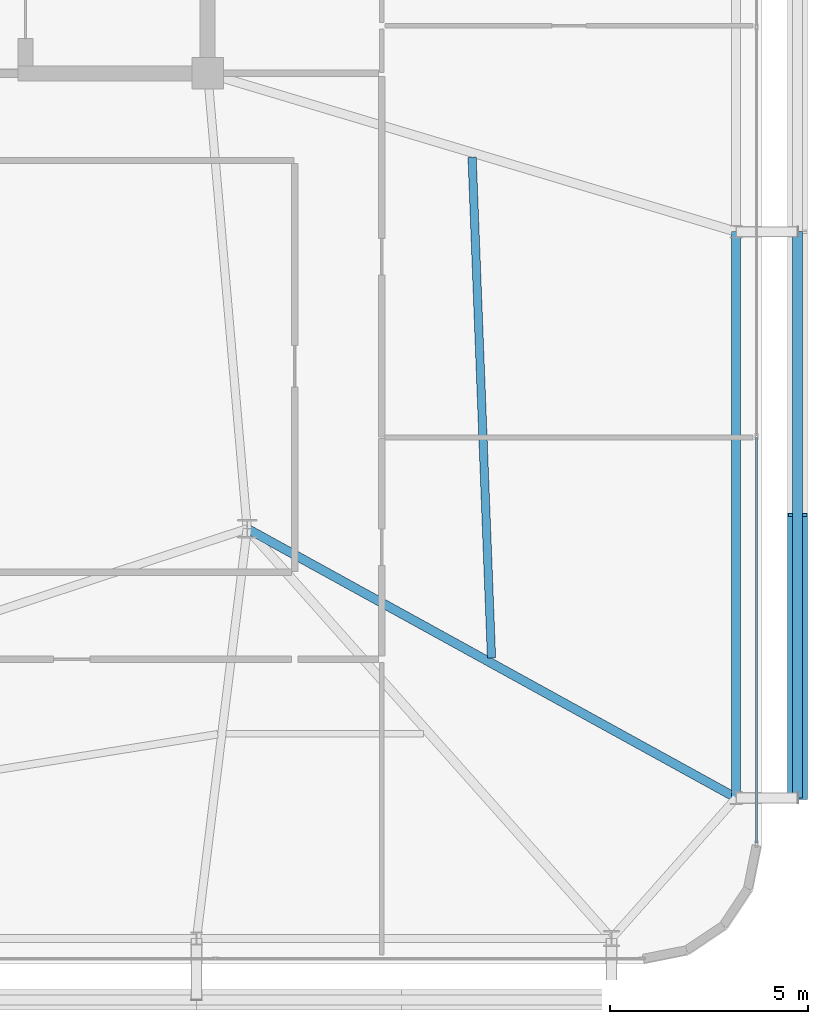
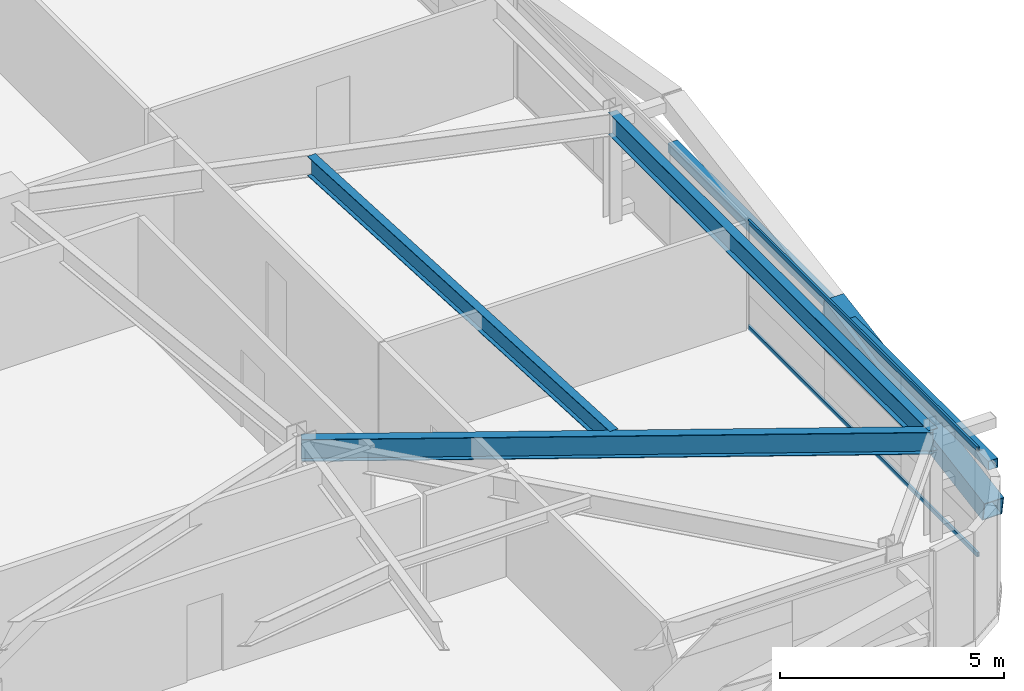
# One storey, part 16 of 44: 4 members, 3 beams, 1 element without a shape of its own.
"""IFC4 building model written with IfcOpenShell, lengths in metres."""

from ifc_helpers import new_model, si_unit, direction, frame, origin, origin_2d, place, context, subcontext, project, spatial, hollow_rectangle, i_section, extrude, source, transform, mapped, material, layer, layer_set, material_profile, profile_set, type_object, element, aggregate, save


model = new_model("IFC4")

# Units and contexts
model_context = context("Model", 3, precision=1e-05, world=origin(), true_north=direction((0.0, 1.0)))
body_context = subcontext(model_context, "Body", "Model", "MODEL_VIEW")
ifc_project = project(units=[si_unit("LENGTHUNIT", "METRE"), si_unit("AREAUNIT", "SQUARE_METRE"), si_unit("VOLUMEUNIT", "CUBIC_METRE"), si_unit("PLANEANGLEUNIT", "RADIAN"), si_unit("MASSUNIT", "GRAM", prefix="KILO")], contexts=[model_context])

# Site, building, storey
site_placement = place(None, origin())
site = spatial("IfcSite", under=ifc_project, at=site_placement, CompositionType="ELEMENT")
building_placement = place(site_placement, origin())
building = spatial("IfcBuilding", under=site, at=building_placement, Name="Taldren Reach Tower", CompositionType="ELEMENT")
storey_placement = place(building_placement, frame((0.0, 0.0, 42.0)))
storey = spatial("IfcBuildingStorey", under=building, at=storey_placement, Name="L12", CompositionType="ELEMENT", Elevation=42.0)

# Beams
ifc_material_1 = material(Name="Steel Gr 350 (350PLUS)", Category="steel")
ifc_material_profile_1 = material_profile(ifc_material_1, i_section(OverallWidth=0.22802734375, OverallDepth=0.60205078125, WebThickness=0.010498046875, FlangeThickness=0.014892578125, at=origin_2d()), Name="610UB101")
ifc_profile_set_1 = profile_set([ifc_material_profile_1], Name="Steel Gr 350 (350PLUS)")
beam_type_1 = type_object("IfcBeamType", Name="BM-UB610B", PredefinedType="BEAM", material=ifc_profile_set_1)
shared_shape_1 = source(origin(), body_context, "Body", "SweptSolid", [
    extrude(i_section(OverallWidth=0.22802734375, OverallDepth=0.60205078125, WebThickness=0.010498046875, FlangeThickness=0.014892578125, at=origin_2d()), origin(), (0.0, 0.0, 1.0), 14.300048828125),
])
beam_1_placement = place(storey_placement, frame((64.35009765625, 5.699951171875, 2.62890625), z_axis=(0.0, 1.0, 0.0), x_axis=(-1.0, 0.0, 0.0)))
element("IfcBeam", 1, at=beam_1_placement, inside=storey, type_object=beam_type_1, Name="Perimeter gable girder B1 E1-E2 L12", PredefinedType="BEAM", context=body_context, shape_type="MappedRepresentation", body=[
    mapped(shared_shape_1, transform((0.0, 0.0, 0.0), scale=1.0)),
])
shared_shape_2 = source(origin(), body_context, "Body", "SweptSolid", [
    extrude(i_section(OverallWidth=0.22802734375, OverallDepth=0.60205078125, WebThickness=0.010498046875, FlangeThickness=0.014892578125, at=origin_2d()), origin(), (0.0, 0.0, 1.0), 14.098388671875),
])
beam_2_placement = place(storey_placement, frame((52.0, 12.5, 2.62890625), z_axis=(0.875991325783, -0.482326857175, 0.0), x_axis=(0.482326857175, 0.875991325783, 0.0)))
element("IfcBeam", 2, at=beam_2_placement, inside=storey, type_object=beam_type_1, Name="Primary floor girder B1-E1 L12", PredefinedType="BEAM", context=body_context, shape_type="MappedRepresentation", body=[
    mapped(shared_shape_2, transform((0.0, 0.0, 0.0), scale=1.0)),
])
ifc_material_profile_2 = material_profile(ifc_material_1, i_section(OverallWidth=0.208984375, OverallDepth=0.532958984375, WebThickness=0.01025390625, FlangeThickness=0.015625, at=origin_2d()), Name="530UB92.4")
ifc_profile_set_2 = profile_set([ifc_material_profile_2], Name="Steel Gr 350 (350PLUS)")
beam_type_2 = type_object("IfcBeamType", Name="BM-UB530A", PredefinedType="BEAM", material=ifc_profile_set_2)
shared_shape_3 = source(origin(), body_context, "Body", "SweptSolid", [
    extrude(i_section(OverallWidth=0.208984375, OverallDepth=0.532958984375, WebThickness=0.01025390625, FlangeThickness=0.015625, at=origin_2d()), origin(), (0.0, 0.0, 1.0), 12.65625),
])
beam_3_placement = place(storey_placement, frame((58.169921875, 9.23291015625, 2.66357421875), z_axis=(-0.0387346395, 0.99924953225, 0.0), x_axis=(-0.99924953225, -0.0387346395, 0.0)))
element("IfcBeam", 3, at=beam_3_placement, inside=storey, type_object=beam_type_2, Name="Secondary floor beam B1 J7 L12", PredefinedType="BEAM", context=body_context, shape_type="MappedRepresentation", body=[
    mapped(shared_shape_3, transform((0.0, 0.0, 0.0), scale=1.0)),
])

# Members
ifc_material_2 = material(Name="Steel Gr 450 (C450L0)", Category="steel")
ifc_material_profile_3 = material_profile(ifc_material_2, hollow_rectangle(XDim=0.510009765625, YDim=0.510009765625, WallThickness=0.02001953125, at=origin_2d()), Name="510x510x20.0SHS")
ifc_profile_set_3 = profile_set([ifc_material_profile_3], Name="Steel Gr 450 (C450L0)")
member_type_1 = type_object("IfcMemberType", Name="MB-EXO508", PredefinedType="BRACE", material=ifc_profile_set_3)
shared_shape_4 = source(origin(), body_context, "Body", "SweptSolid", [
    extrude(hollow_rectangle(XDim=0.510009765625, YDim=0.510009765625, WallThickness=0.02001953125, at=origin_2d()), origin(), (0.0, 0.0, 1.0), 7.252685546875),
])
member_1_placement = place(storey_placement, frame((65.89990234375, 5.699951171875, 0.219970703125), z_axis=(0.0, 0.985865800628, 0.167536930711), x_axis=(-1.0, 0.0, 0.0)))
element("IfcMember", 4, at=member_1_placement, inside=storey, type_object=member_type_1, Name="Exoskeleton Diagrid Brace B1-E1 L12", PredefinedType="BRACE", context=body_context, shape_type="MappedRepresentation", body=[
    mapped(shared_shape_4, transform((0.0, 0.0, 0.0), scale=1.0)),
])
ifc_material_3 = material(Name="Steel Gr 350 (C350L0)", Category="steel")
ifc_material_profile_4 = material_profile(ifc_material_3, hollow_rectangle(XDim=0.25, YDim=0.25, WallThickness=0.010009765625, at=origin_2d()), Name="250x250x10.0SHS")
ifc_profile_set_4 = profile_set([ifc_material_profile_4], Name="Steel Gr 350 (C350L0)")
member_type_2 = type_object("IfcMemberType", Name="MB-POST250", PredefinedType="POST", material=ifc_profile_set_4)
shared_shape_5 = source(origin(), body_context, "Body", "SweptSolid", [
    extrude(hollow_rectangle(XDim=0.25, YDim=0.25, WallThickness=0.010009765625, at=origin_2d()), origin(), (0.0, 0.0, 1.0), 14.300048828125),
])
member_2_placement = place(storey_placement, frame((65.89990234375, 5.699951171875, 1.43505859375), z_axis=(0.0, 1.0, 0.0), x_axis=(-1.0, 0.0, 0.0)))
element("IfcMember", 5, at=member_2_placement, inside=storey, type_object=member_type_2, Name="Exoskeleton mid-height ring chord B1-E1 L12", PredefinedType="POST", context=body_context, shape_type="MappedRepresentation", body=[
    mapped(shared_shape_5, transform((0.0, 0.0, 0.0), scale=1.0)),
])

# Curtain wall, members
ifc_material_4 = material(Name="Aluminium and Low-E Glass Unitised System", Category="aluminium")
ifc_layer = layer(ifc_material_4, 0.159912109375)
ifc_layer_set = layer_set([ifc_layer], Name="Aluminium and Low-E Glass Unitised System")
curtain_wall_type = type_object("IfcCurtainWallType", Name="CW-SYS-2", PredefinedType="NOTDEFINED", material=ifc_layer_set)
curtain_wall_placement = place(storey_placement, origin())
curtain_wall = element("IfcCurtainWall", 6, at=curtain_wall_placement, inside=storey, type_object=curtain_wall_type, Name="Unitised curtain wall CW-L12-E", PredefinedType="NOTDEFINED")
ifc_material_5 = material(Name="Anodised Aluminium 6063-T6", Category="aluminium")
ifc_material_profile_5 = material_profile(ifc_material_5, hollow_rectangle(XDim=0.054931640625, YDim=0.1201171875, WallThickness=0.0029296875, at=origin_2d()), Name="ALU-120x55x3RHS")
ifc_profile_set_5 = profile_set([ifc_material_profile_5], Name="Anodised Aluminium 6063-T6")
member_type_3 = type_object("IfcMemberType", Name="CW-TRN-135", PredefinedType="USERDEFINED", material=ifc_profile_set_5)
shared_shape_6 = source(origin(), body_context, "Body", "SweptSolid", [
    extrude(hollow_rectangle(XDim=0.054931640625, YDim=0.1201171875, WallThickness=0.0029296875, at=origin_2d()), origin(), (0.0, 0.0, 1.0), 10.23583984375),
])
member_3_placement = place(storey_placement, frame((64.860107421875, 4.56494140625, 0.027587890625), z_axis=(0.0, 1.0, 0.0), x_axis=(-1.0, 0.0, 0.0)))
member_3 = element("IfcMember", 7, at=member_3_placement, type_object=member_type_3, Name="CW-2 transom 1.1", ObjectType="TRANSOM", PredefinedType="USERDEFINED", context=body_context, shape_type="MappedRepresentation", body=[
    mapped(shared_shape_6, transform((0.0, 0.0, 0.0), scale=1.0)),
])
member_4_placement = place(storey_placement, frame((64.860107421875, 4.56494140625, 2.902587890625), z_axis=(0.0, 1.0, 0.0), x_axis=(-1.0, 0.0, 0.0)))
member_4 = element("IfcMember", 8, at=member_4_placement, type_object=member_type_3, Name="CW-2 transom 1.2", ObjectType="TRANSOM", PredefinedType="USERDEFINED", context=body_context, shape_type="MappedRepresentation", body=[
    mapped(shared_shape_6, transform((0.0, 0.0, 0.0), scale=1.0)),
])
aggregate(curtain_wall, [member_3, member_4])

save(model, "model.ifc")
